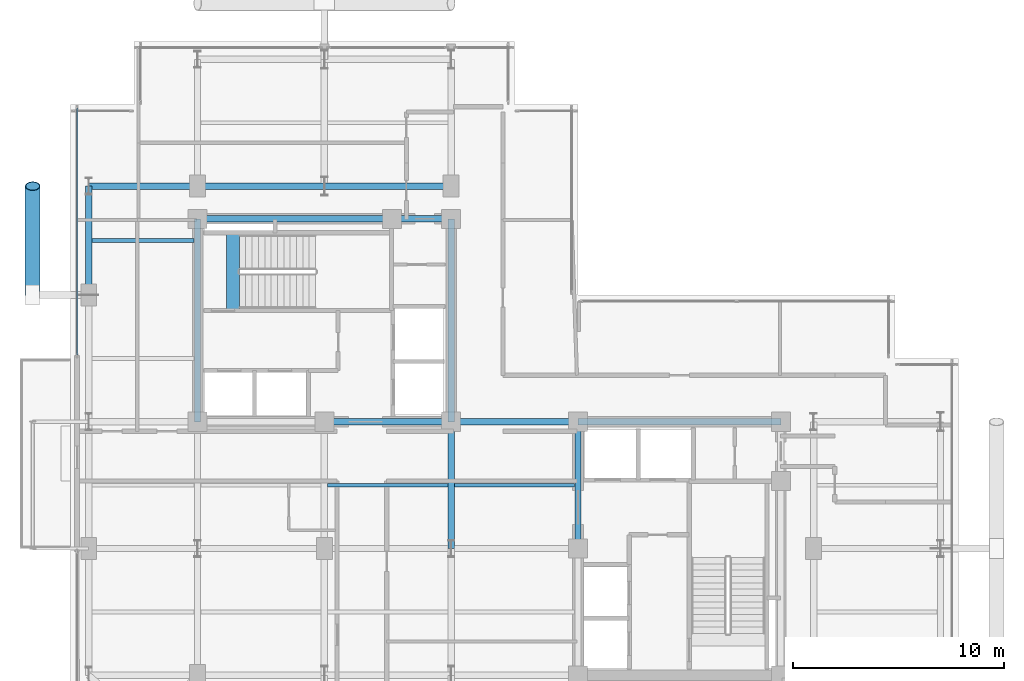
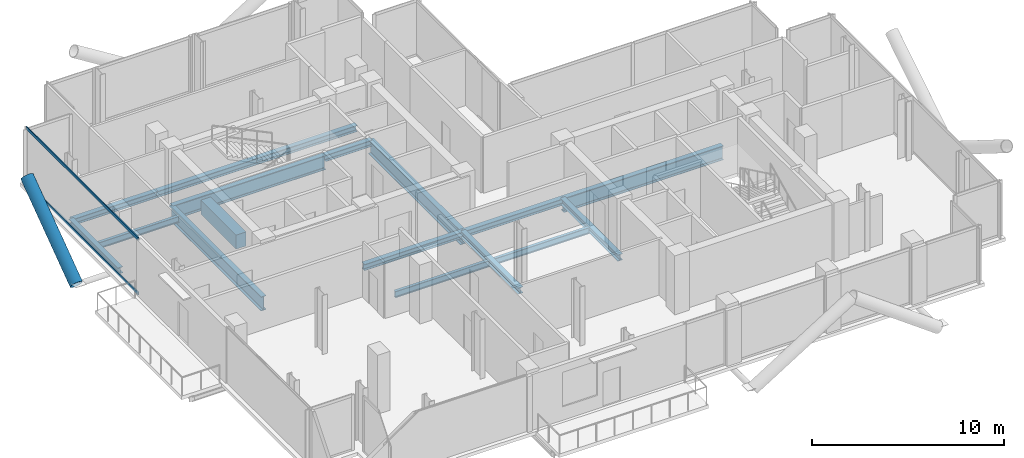
# One storey, part 8 of 21: 17 beams, 3 members, 1 element without a shape of its own.
"""IFC4 building model written with IfcOpenShell, lengths in metres."""

import ifcopenshell
import ifcopenshell.guid

model = None  # the IFC model being written
_history = None  # IfcOwnerHistory: only IFC2X3 demands one
_inside = {}  # id of a spatial element -> (the spatial element, [elements in it])
_under = {}  # id of a project, library or spatial element -> (it, [spatial elements below it])
_declared = {}  # id of a project -> (the project, [libraries it declares])
_typed = {}  # id of a type object -> (the type object, [elements of that type])
_made_of = {}  # id of a material, layer set ... -> (it, [elements and type objects made of it])


def new_model(schema):
    """Start an empty IFC model of exactly this schema.

    Asked for "IFC4X3", IfcOpenShell would pick the latest addendum, in which some entities
    have other attributes; the version numbers below select the first issue.
    IFC2X3 requires an IfcOwnerHistory on every rooted entity: one is made here for all.
    """
    global model, _history
    if schema == "IFC4X3":
        model = ifcopenshell.file(schema_version=(4, 3, 0, 0))
    else:
        model = ifcopenshell.file(schema=schema)
    _inside.clear()
    _under.clear()
    _declared.clear()
    _typed.clear()
    _made_of.clear()
    _history = None
    if model.schema == "IFC2X3":
        org = make("IfcOrganization", Name="unknown")
        user = make(
            "IfcPersonAndOrganization",
            ThePerson=make("IfcPerson", FamilyName="unknown"),
            TheOrganization=org,
        )
        app = make(
            "IfcApplication",
            ApplicationDeveloper=org,
            Version="unknown",
            ApplicationFullName="unknown",
            ApplicationIdentifier="unknown",
        )
        _history = make(
            "IfcOwnerHistory",
            OwningUser=user,
            OwningApplication=app,
            ChangeAction="ADDED",
            CreationDate=0,
        )
    return model


def make(cls, **values):
    """One entity of the class cls with the attributes given. An attribute that is None is left unset."""
    return model.create_entity(
        cls, **{name: value for name, value in values.items() if value is not None}
    )


def rooted(cls, **values):
    """An entity with a GlobalId (a new one), such as an element, a storey or a relation."""
    return make(cls, GlobalId=ifcopenshell.guid.new(), OwnerHistory=_history, **values)


def si_unit(unit_type, name, prefix=None):
    """IfcSIUnit, for example si_unit("LENGTHUNIT", "METRE", prefix="MILLI")."""
    return make("IfcSIUnit", UnitType=unit_type, Prefix=prefix, Name=name)


def assignment(units):
    """IfcUnitAssignment: the units of a project."""
    return None if units is None else make("IfcUnitAssignment", Units=units)


def point(xyz):
    """IfcCartesianPoint."""
    return None if xyz is None else make("IfcCartesianPoint", Coordinates=xyz)


def direction(xyz):
    """IfcDirection."""
    return None if xyz is None else make("IfcDirection", DirectionRatios=xyz)


def frame(location, z_axis=None, x_axis=None):
    """IfcAxis2Placement3D, a coordinate frame: its origin and axes. An axis left out is left unset."""
    return make(
        "IfcAxis2Placement3D",
        Location=point(location),
        Axis=direction(z_axis),
        RefDirection=direction(x_axis),
    )


def frame_2d(location, x_axis=None):
    """IfcAxis2Placement2D, a coordinate frame in the plane: its origin and x axis."""
    return make(
        "IfcAxis2Placement2D", Location=point(location), RefDirection=direction(x_axis)
    )


def origin():
    """The frame at (0, 0, 0) with its axes left unset."""
    return frame((0.0, 0.0, 0.0))


def origin_2d():
    """The frame at (0, 0) in the plane with its x axis left unset."""
    return frame_2d((0.0, 0.0))


def place(relative_to, where):
    """IfcLocalPlacement: puts the frame where relative to a parent placement (None: the world)."""
    return make(
        "IfcLocalPlacement", PlacementRelTo=relative_to, RelativePlacement=where
    )


def context(
    kind, dimensions, precision=None, world=None, true_north=None, identifier=None
):
    """IfcGeometricRepresentationContext, for example the 3D "Model" context."""
    return make(
        "IfcGeometricRepresentationContext",
        ContextIdentifier=identifier,
        ContextType=kind,
        CoordinateSpaceDimension=dimensions,
        Precision=precision,
        WorldCoordinateSystem=world,
        TrueNorth=true_north,
    )


def subcontext(parent, identifier, kind, view, scale=None):
    """IfcGeometricRepresentationSubContext, for example "Body" below "Model"."""
    return make(
        "IfcGeometricRepresentationSubContext",
        ContextIdentifier=identifier,
        ContextType=kind,
        ParentContext=parent,
        TargetScale=scale,
        TargetView=view,
    )


def project(units=None, contexts=None):
    """IfcProject with its units and contexts."""
    return rooted(
        "IfcProject",
        Name="project",
        RepresentationContexts=contexts,
        UnitsInContext=assignment(units),
    )


def spatial(cls, under=None, at=None, **own):
    """A site, building, storey or space (cls), placed at a placement, below another one or the project."""
    s = rooted(cls, ObjectPlacement=at, **own)
    if under is not None:
        _under.setdefault(under.id(), (under, []))[1].append(s)
    return s


def profile(cls, at=None, kind="AREA", **sizes):
    """A parametric profile (cls). Its sizes go by their IFC names, for example OverallWidth=200.0."""
    return make(cls, ProfileType=kind, Position=at, **sizes)


def rectangle(**sizes):
    """IfcRectangleProfileDef."""
    return profile("IfcRectangleProfileDef", **sizes)


def hollow_rectangle(**sizes):
    """IfcRectangleHollowProfileDef."""
    return profile("IfcRectangleHollowProfileDef", **sizes)


def hollow_circle(**sizes):
    """IfcCircleHollowProfileDef."""
    return profile("IfcCircleHollowProfileDef", **sizes)


def i_section(**sizes):
    """IfcIShapeProfileDef."""
    return profile("IfcIShapeProfileDef", **sizes)


def extrude(swept, where, along, depth):
    """IfcExtrudedAreaSolid: the profile swept, set in the frame where, extruded along a direction by depth."""
    return make(
        "IfcExtrudedAreaSolid",
        SweptArea=swept,
        Position=where,
        ExtrudedDirection=direction(along),
        Depth=depth,
    )


def shape(context_of_items, identifier, shape_type, items):
    """IfcShapeRepresentation: the items that make up one representation, for example the "Body"."""
    return make(
        "IfcShapeRepresentation",
        ContextOfItems=context_of_items,
        RepresentationIdentifier=identifier,
        RepresentationType=shape_type,
        Items=items,
    )


def material(Name=None, Category=None):
    """IfcMaterial."""
    return make("IfcMaterial", Name=Name, Category=Category)


def layer(
    of_material, thickness, ventilated=None, Name=None, Category=None, Priority=None
):
    """IfcMaterialLayer: one layer of a wall or slab, of a material (None: an air gap)."""
    return make(
        "IfcMaterialLayer",
        Material=of_material,
        LayerThickness=thickness,
        IsVentilated=ventilated,
        Name=Name,
        Category=Category,
        Priority=Priority,
    )


def layer_set(layers, Name=None):
    """IfcMaterialLayerSet."""
    return make("IfcMaterialLayerSet", MaterialLayers=layers, LayerSetName=Name)


def material_profile(
    of_material, cross_section, Name=None, Category=None, Priority=None
):
    """IfcMaterialProfile: a cross section and its material."""
    return make(
        "IfcMaterialProfile",
        Name=Name,
        Material=of_material,
        Profile=cross_section,
        Priority=Priority,
        Category=Category,
    )


def profile_set(profiles, Name=None, composite=None):
    """IfcMaterialProfileSet."""
    return make(
        "IfcMaterialProfileSet",
        Name=Name,
        MaterialProfiles=profiles,
        CompositeProfile=composite,
    )


def made_of(thing, what):
    """Note that an element or type object is made of a material, layer set ...; save() writes the relation."""
    if what is not None:
        _made_of.setdefault(what.id(), (what, []))[1].append(thing)
    return thing


def type_object(cls, material=None, **own):
    """A type object (cls), such as IfcWallType, which elements share."""
    return made_of(rooted(cls, **own), material)


def element(
    cls,
    number,
    at=None,
    inside=None,
    cuts=None,
    type_object=None,
    material=None,
    context=None,
    identifier="Body",
    shape_type=None,
    held_by="IfcProductDefinitionShape",
    body=None,
    shapes=None,
    **own,
):
    """One element of the class cls, such as IfcWall. Its Tag is "e" and its number.

    at: its placement. inside: the storey or other place that contains it. cuts: it is an
    opening in that element (IfcRelVoidsElement). A single representation is given by context,
    identifier, shape_type and body (its items); several are given by shapes. held_by: the class
    of the entity that holds the representations. save() writes the other relations.
    """
    e = rooted(cls, Tag="e%d" % number, ObjectPlacement=at, **own)
    if body is not None:
        shapes = [shape(context, identifier, shape_type, body)]
    if shapes is not None:
        e.Representation = make(held_by, Representations=shapes)
    if inside is not None:
        _inside.setdefault(inside.id(), (inside, []))[1].append(e)
    if cuts is not None:
        rooted(
            "IfcRelVoidsElement", RelatingBuildingElement=cuts, RelatedOpeningElement=e
        )
    if type_object is not None:
        _typed.setdefault(type_object.id(), (type_object, []))[1].append(e)
    return made_of(e, material)


def aggregate(whole, parts):
    """IfcRelAggregates: a whole, such as a stair, and the parts it consists of."""
    return rooted("IfcRelAggregates", RelatingObject=whole, RelatedObjects=parts)


def save(model, path):
    """Write the relations noted so far, then the file.

    IfcRelAggregates (storeys below a building ...), IfcRelContainedInSpatialStructure (elements
    in a storey), IfcRelDefinesByType, IfcRelAssociatesMaterial and IfcRelDeclares: one each for
    every whole, place, type object, material and project.
    """
    for whole, parts in _under.values():
        aggregate(whole, parts)
    for where, things in _inside.values():
        rooted(
            "IfcRelContainedInSpatialStructure",
            RelatedElements=things,
            RelatingStructure=where,
        )
    for kind, things in _typed.values():
        rooted("IfcRelDefinesByType", RelatedObjects=things, RelatingType=kind)
    for what, things in _made_of.values():
        rooted("IfcRelAssociatesMaterial", RelatedObjects=things, RelatingMaterial=what)
    for by, libraries in _declared.values():
        rooted("IfcRelDeclares", RelatingContext=by, RelatedDefinitions=libraries)
    model.write(path)


model = new_model("IFC4")

# Units and contexts
model_context = context("Model", 3, precision=1e-05, world=origin(), true_north=direction((0.0, 1.0)))
body_context = subcontext(model_context, "Body", "Model", "MODEL_VIEW")
ifc_project = project(units=[si_unit("LENGTHUNIT", "METRE"), si_unit("AREAUNIT", "SQUARE_METRE"), si_unit("VOLUMEUNIT", "CUBIC_METRE"), si_unit("PLANEANGLEUNIT", "RADIAN"), si_unit("MASSUNIT", "GRAM", prefix="KILO"), si_unit("THERMODYNAMICTEMPERATUREUNIT", "KELVIN"), si_unit("POWERUNIT", "WATT")], contexts=[model_context])

# Site, building, storey
site_placement = place(None, origin())
site = spatial("IfcSite", under=ifc_project, at=site_placement, CompositionType="ELEMENT")
building_placement = place(site_placement, origin())
building = spatial("IfcBuilding", under=site, at=building_placement, Name="Svarakhadi Broadcast Tower", CompositionType="ELEMENT")
storey_placement = place(building_placement, frame((0.0, 0.0, 223.64990234375)))
storey = spatial("IfcBuildingStorey", under=building, at=storey_placement, Name="L55", CompositionType="ELEMENT", Elevation=223.64990234375)

# Beams
ifc_material_1 = material(Name="Steel S355J2 (IS 2062 E350C)", Category="steel")
ifc_material_profile_1 = material_profile(ifc_material_1, i_section(OverallWidth=0.179931640625, OverallDepth=0.39990234375, WebThickness=0.008544921875, FlangeThickness=0.013427734375, FilletRadius=0.02099609375, at=origin_2d()), Name="NPB 400x180x66")
ifc_profile_set_1 = profile_set([ifc_material_profile_1], Name="Steel S355J2 (IS 2062 E350C)")
beam_type_1 = type_object("IfcBeamType", Name="Beam_NPB400", PredefinedType="BEAM", material=ifc_profile_set_1)
beam_1_placement = place(storey_placement, frame((1.010009765625, 26.574951171875, -0.409912109375), z_axis=(1.0, 0.0, 0.0), x_axis=(0.0, 1.0, 0.0)))
element("IfcBeam", 1, at=beam_1_placement, inside=storey, type_object=beam_type_1, Name="L55 Secondary Composite Beam SB004", PredefinedType="BEAM", context=body_context, shape_type="SweptSolid", body=[
    extrude(i_section(OverallWidth=0.179931640625, OverallDepth=0.39990234375, WebThickness=0.008544921875, FlangeThickness=0.013427734375, FilletRadius=0.02099609375, at=origin_2d()), origin(), (0.0, 0.0, 1.0), 4.830078125),
])
for number, where, z_axis, x_axis, name in (
    (2, (12.159912109375, 15.0, -0.409912109375), (1.0, 0.0, 0.0), (0.0, 1.0, 0.0), "L55 Secondary Composite Beam SB011"),
    (3, (18.159912109375, 15.0, -0.409912109375), (1.0, 0.0, 0.0), (0.0, 1.0, 0.0), "L55 Secondary Composite Beam SB015"),
):
    element("IfcBeam", number, at=place(storey_placement, frame(where, z_axis=z_axis, x_axis=x_axis)), inside=storey, type_object=beam_type_1, Name=name, PredefinedType="BEAM", context=body_context, shape_type="SweptSolid", body=[
        extrude(i_section(OverallWidth=0.179931640625, OverallDepth=0.39990234375, WebThickness=0.008544921875, FlangeThickness=0.013427734375, FilletRadius=0.02099609375, at=origin_2d()), origin(), (0.0, 0.0, 1.0), 5.68017578125),
    ])

# Curtain wall, members
ifc_material_2 = material(Name="Anodised Bronze Aluminium AA 6063-T6", Category="aluminium")
ifc_layer = layer(ifc_material_2, 0.18994140625)
ifc_layer_set = layer_set([ifc_layer], Name="Anodised Bronze Aluminium AA 6063-T6")
curtain_wall_type = type_object("IfcCurtainWallType", Name="CW_Sys_04", PredefinedType="NOTDEFINED", material=ifc_layer_set)
curtain_wall_placement = place(storey_placement, origin())
curtain_wall = element("IfcCurtainWall", 4, at=curtain_wall_placement, inside=storey, type_object=curtain_wall_type, Name="L55 West Curtain Wall 03", PredefinedType="NOTDEFINED")
ifc_material_profile_2 = material_profile(ifc_material_2, hollow_rectangle(XDim=0.06494140625, YDim=0.175048828125, WallThickness=0.0048828125, at=origin_2d()), Name="ALU TRANSOM 175x65x5")
ifc_profile_set_2 = profile_set([ifc_material_profile_2], Name="Anodised Bronze Aluminium AA 6063-T6")
member_type_1 = type_object("IfcMemberType", Name="CW_Sys_04_Trn", PredefinedType="USERDEFINED", material=ifc_profile_set_2)
member_1_placement = place(storey_placement, frame((0.300048828125, 21.159912109375, 0.03271484375), z_axis=(0.0, 1.0, 0.0), x_axis=(-1.0, 0.0, 0.0)))
member_1 = element("IfcMember", 5, at=member_1_placement, type_object=member_type_1, Name="CW-04 transom 1.1", ObjectType="TRANSOM", PredefinedType="USERDEFINED", context=body_context, shape_type="SweptSolid", body=[
    extrude(hollow_rectangle(XDim=0.06494140625, YDim=0.175048828125, WallThickness=0.0048828125, at=origin_2d()), origin(), (0.0, 0.0, 1.0), 11.68017578125),
])
member_2_placement = place(storey_placement, frame((0.300048828125, 21.159912109375, 3.507568359375), z_axis=(0.0, 1.0, 0.0), x_axis=(-1.0, 0.0, 0.0)))
member_2 = element("IfcMember", 6, at=member_2_placement, type_object=member_type_1, Name="CW-04 transom 1.2", ObjectType="TRANSOM", PredefinedType="USERDEFINED", context=body_context, shape_type="SweptSolid", body=[
    extrude(hollow_rectangle(XDim=0.06494140625, YDim=0.175048828125, WallThickness=0.0048828125, at=origin_2d()), origin(), (0.0, 0.0, 1.0), 11.68017578125),
])
aggregate(curtain_wall, [member_1, member_2])

# Beam
ifc_material_3 = material(Name="Concrete C50/60 (IS 456 M60)", Category="concrete")
ifc_material_profile_3 = material_profile(ifc_material_3, rectangle(XDim=0.60009765625, YDim=0.89990234375, at=origin_2d()), Name="RC 600x900")
ifc_profile_set_3 = profile_set([ifc_material_profile_3], Name="Concrete C50/60 (IS 456 M60)")
beam_type_2 = type_object("IfcBeamType", Name="Coupling_RC600", PredefinedType="USERDEFINED", material=ifc_profile_set_3)
beam_2_placement = place(storey_placement, frame((7.679931640625, 23.260009765625, -0.449951171875), z_axis=(0.0, 1.0, 0.0), x_axis=(-1.0, 0.0, 0.0)))
element("IfcBeam", 7, at=beam_2_placement, inside=storey, type_object=beam_type_2, Name="L55 Stair ST-01 Landing Throat Trimmer Beam CB-01", ObjectType="GIRDER", PredefinedType="USERDEFINED", context=body_context, shape_type="SweptSolid", body=[
    extrude(rectangle(XDim=0.60009765625, YDim=0.89990234375, at=origin_2d()), origin(), (0.0, 0.0, 1.0), 3.679931640625),
])

# Member
ifc_material_4 = material(Name="Steel S460ML (IS 2062 E450BR)", Category="steel")
ifc_material_profile_4 = material_profile(ifc_material_4, hollow_circle(Radius=0.35546875, WallThickness=0.034912109375, at=origin_2d()), Name="CHS 711x35")
ifc_profile_set_4 = profile_set([ifc_material_profile_4], Name="Steel S460ML (IS 2062 E450BR)")
member_type_2 = type_object("IfcMemberType", Name="Exo_Brace_CHS711", PredefinedType="BRACE", material=ifc_profile_set_4)
member_3_placement = place(storey_placement, frame((-1.800048828125, 24.0, -0.371826171875), z_axis=(0.0, 0.808391243061, 0.588645562407), x_axis=(-1.0, 0.0, 0.0)))
element("IfcMember", 8, at=member_3_placement, inside=storey, type_object=member_type_2, Name="L55 Exposed Bronze Exoskeleton Diagonal W03", PredefinedType="BRACE", context=body_context, shape_type="SweptSolid", body=[
    extrude(hollow_circle(Radius=0.35546875, WallThickness=0.034912109375, at=origin_2d()), origin(), (0.0, 0.0, 1.0), 6.37060546875),
])

# Beams
ifc_material_profile_5 = material_profile(ifc_material_1, i_section(OverallWidth=0.300048828125, OverallDepth=0.39990234375, WebThickness=0.013427734375, FlangeThickness=0.02392578125, FilletRadius=0.027099609375, at=origin_2d()), Name="WPB 400x300x155")
ifc_profile_set_5 = profile_set([ifc_material_profile_5], Name="Steel S355J2 (IS 2062 E350C)")
beam_type_3 = type_object("IfcBeamType", Name="Girder_WPB400", PredefinedType="USERDEFINED", material=ifc_profile_set_5)
for number, where, z_axis, x_axis, name in (
    (9, (12.0, 18.0, -0.409912109375), (1.0, 0.0, 0.0), (0.0, 1.0, 0.0), "L55 Primary E-W Girder G022"),
    (10, (18.0, 18.0, -0.409912109375), (1.0, 0.0, 0.0), (0.0, 1.0, 0.0), "L55 Primary E-W Girder G023"),
):
    element("IfcBeam", number, at=place(storey_placement, frame(where, z_axis=z_axis, x_axis=x_axis)), inside=storey, type_object=beam_type_3, Name=name, ObjectType="GIRDER", PredefinedType="USERDEFINED", context=body_context, shape_type="SweptSolid", body=[
        extrude(i_section(OverallWidth=0.300048828125, OverallDepth=0.39990234375, WebThickness=0.013427734375, FlangeThickness=0.02392578125, FilletRadius=0.027099609375, at=origin_2d()), origin(), (0.0, 0.0, 1.0), 6.0),
    ])
beam_3_placement = place(storey_placement, frame((15.199951171875, 27.60009765625, -0.409912109375), z_axis=(1.0, 0.0, 0.0), x_axis=(0.0, 1.0, 0.0)))
element("IfcBeam", 11, at=beam_3_placement, inside=storey, type_object=beam_type_3, Name="L55 Primary E-W Girder G027", ObjectType="GIRDER", PredefinedType="USERDEFINED", context=body_context, shape_type="SweptSolid", body=[
    extrude(i_section(OverallWidth=0.300048828125, OverallDepth=0.39990234375, WebThickness=0.013427734375, FlangeThickness=0.02392578125, FilletRadius=0.027099609375, at=origin_2d()), origin(), (0.0, 0.0, 1.0), 2.800048828125),
])
beam_4_placement = place(storey_placement, frame((0.85009765625, 29.14990234375, -0.409912109375), z_axis=(1.0, 0.0, 0.0), x_axis=(0.0, 1.0, 0.0)))
element("IfcBeam", 12, at=beam_4_placement, inside=storey, type_object=beam_type_3, Name="L55 Primary E-W Girder G028", ObjectType="GIRDER", PredefinedType="USERDEFINED", context=body_context, shape_type="SweptSolid", body=[
    extrude(i_section(OverallWidth=0.300048828125, OverallDepth=0.39990234375, WebThickness=0.013427734375, FlangeThickness=0.02392578125, FilletRadius=0.027099609375, at=origin_2d()), origin(), (0.0, 0.0, 1.0), 5.14990234375),
])
for number, where, z_axis, x_axis, name in (
    (13, (6.0, 29.14990234375, -0.409912109375), (1.0, 0.0, 0.0), (0.0, 1.0, 0.0), "L55 Primary E-W Girder G029"),
    (14, (12.0, 29.14990234375, -0.409912109375), (1.0, 0.0, 0.0), (0.0, 1.0, 0.0), "L55 Primary E-W Girder G030"),
):
    element("IfcBeam", number, at=place(storey_placement, frame(where, z_axis=z_axis, x_axis=x_axis)), inside=storey, type_object=beam_type_3, Name=name, ObjectType="GIRDER", PredefinedType="USERDEFINED", context=body_context, shape_type="SweptSolid", body=[
        extrude(i_section(OverallWidth=0.300048828125, OverallDepth=0.39990234375, WebThickness=0.013427734375, FlangeThickness=0.02392578125, FilletRadius=0.027099609375, at=origin_2d()), origin(), (0.0, 0.0, 1.0), 6.0),
    ])
beam_5_placement = place(storey_placement, frame((0.85009765625, 24.0, -0.409912109375), z_axis=(0.0, 1.0, 0.0), x_axis=(-1.0, 0.0, 0.0)))
element("IfcBeam", 15, at=beam_5_placement, inside=storey, type_object=beam_type_3, Name="L55 Primary N-S Girder G036", ObjectType="GIRDER", PredefinedType="USERDEFINED", context=body_context, shape_type="SweptSolid", body=[
    extrude(i_section(OverallWidth=0.300048828125, OverallDepth=0.39990234375, WebThickness=0.013427734375, FlangeThickness=0.02392578125, FilletRadius=0.027099609375, at=origin_2d()), origin(), (0.0, 0.0, 1.0), 5.14990234375),
])
for number, where, z_axis, x_axis, name in (
    (16, (18.0, 12.0, -0.409912109375), (0.0, 1.0, 0.0), (-1.0, 0.0, 0.0), "L55 Primary N-S Girder G048"),
    (17, (24.0, 12.0, -0.409912109375), (0.0, 1.0, 0.0), (-1.0, 0.0, 0.0), "L55 Primary N-S Girder G053"),
):
    element("IfcBeam", number, at=place(storey_placement, frame(where, z_axis=z_axis, x_axis=x_axis)), inside=storey, type_object=beam_type_3, Name=name, ObjectType="GIRDER", PredefinedType="USERDEFINED", context=body_context, shape_type="SweptSolid", body=[
        extrude(i_section(OverallWidth=0.300048828125, OverallDepth=0.39990234375, WebThickness=0.013427734375, FlangeThickness=0.02392578125, FilletRadius=0.027099609375, at=origin_2d()), origin(), (0.0, 0.0, 1.0), 6.0),
    ])
ifc_material_profile_6 = material_profile(ifc_material_4, i_section(OverallWidth=0.300048828125, OverallDepth=0.89990234375, WebThickness=0.0185546875, FlangeThickness=0.034912109375, FilletRadius=0.030029296875, at=origin_2d()), Name="WPB 900x300x291")
ifc_profile_set_6 = profile_set([ifc_material_profile_6], Name="Steel S460ML (IS 2062 E450BR)")
beam_type_4 = type_object("IfcBeamType", Name="Girder_WPB900", PredefinedType="USERDEFINED", material=ifc_profile_set_6)
beam_6_placement = place(storey_placement, frame((24.0, 18.0, -0.659912109375), z_axis=(1.0, 0.0, 0.0), x_axis=(0.0, 1.0, 0.0)))
element("IfcBeam", 18, at=beam_6_placement, inside=storey, type_object=beam_type_4, Name="L55 Primary E-W Girder G024", ObjectType="GIRDER", PredefinedType="USERDEFINED", context=body_context, shape_type="SweptSolid", body=[
    extrude(i_section(OverallWidth=0.300048828125, OverallDepth=0.89990234375, WebThickness=0.0185546875, FlangeThickness=0.034912109375, FilletRadius=0.030029296875, at=origin_2d()), origin(), (0.0, 0.0, 1.0), 9.60009765625),
])
beam_7_placement = place(storey_placement, frame((6.0, 27.60009765625, -0.659912109375), z_axis=(1.0, 0.0, 0.0), x_axis=(0.0, 1.0, 0.0)))
element("IfcBeam", 19, at=beam_7_placement, inside=storey, type_object=beam_type_4, Name="L55 Primary E-W Girder G026", ObjectType="GIRDER", PredefinedType="USERDEFINED", context=body_context, shape_type="SweptSolid", body=[
    extrude(i_section(OverallWidth=0.300048828125, OverallDepth=0.89990234375, WebThickness=0.0185546875, FlangeThickness=0.034912109375, FilletRadius=0.030029296875, at=origin_2d()), origin(), (0.0, 0.0, 1.0), 9.199951171875),
])
for number, where, z_axis, x_axis, name in (
    (20, (6.0, 18.0, -0.659912109375), (0.0, 1.0, 0.0), (-1.0, 0.0, 0.0), "L55 Primary N-S Girder G040"),
    (21, (18.0, 18.0, -0.659912109375), (0.0, 1.0, 0.0), (-1.0, 0.0, 0.0), "L55 Primary N-S Girder G049"),
):
    element("IfcBeam", number, at=place(storey_placement, frame(where, z_axis=z_axis, x_axis=x_axis)), inside=storey, type_object=beam_type_4, Name=name, ObjectType="GIRDER", PredefinedType="USERDEFINED", context=body_context, shape_type="SweptSolid", body=[
        extrude(i_section(OverallWidth=0.300048828125, OverallDepth=0.89990234375, WebThickness=0.0185546875, FlangeThickness=0.034912109375, FilletRadius=0.030029296875, at=origin_2d()), origin(), (0.0, 0.0, 1.0), 9.60009765625),
    ])

save(model, "model.ifc")
